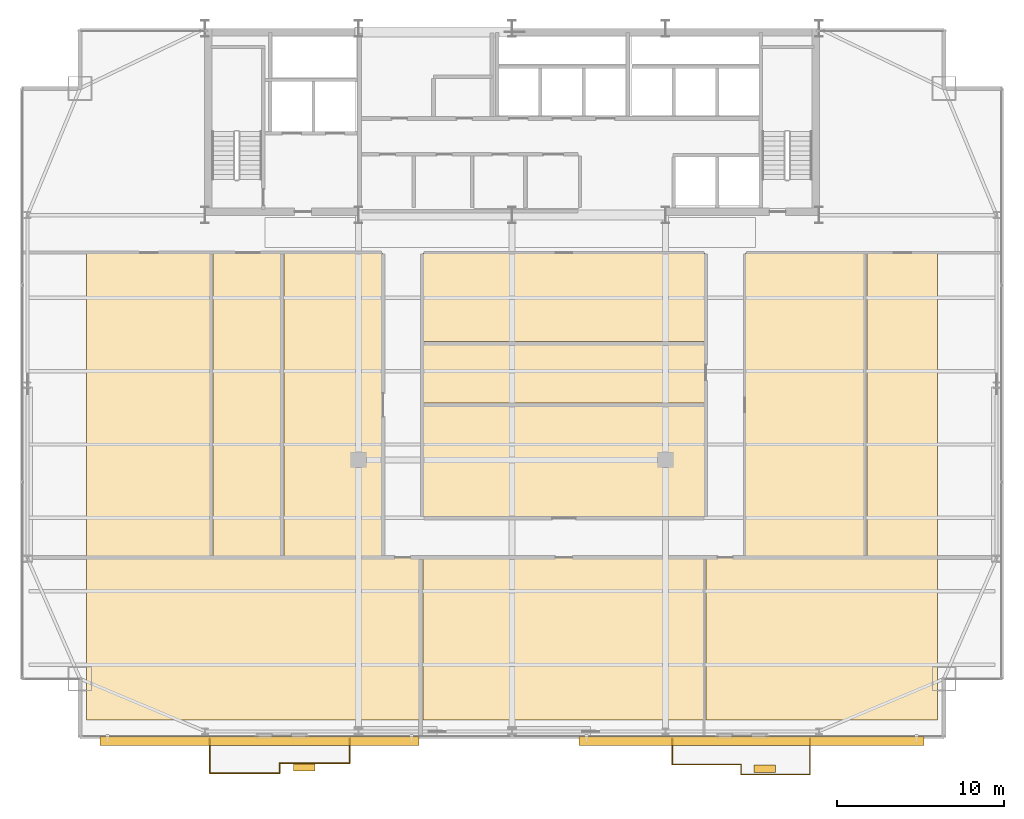
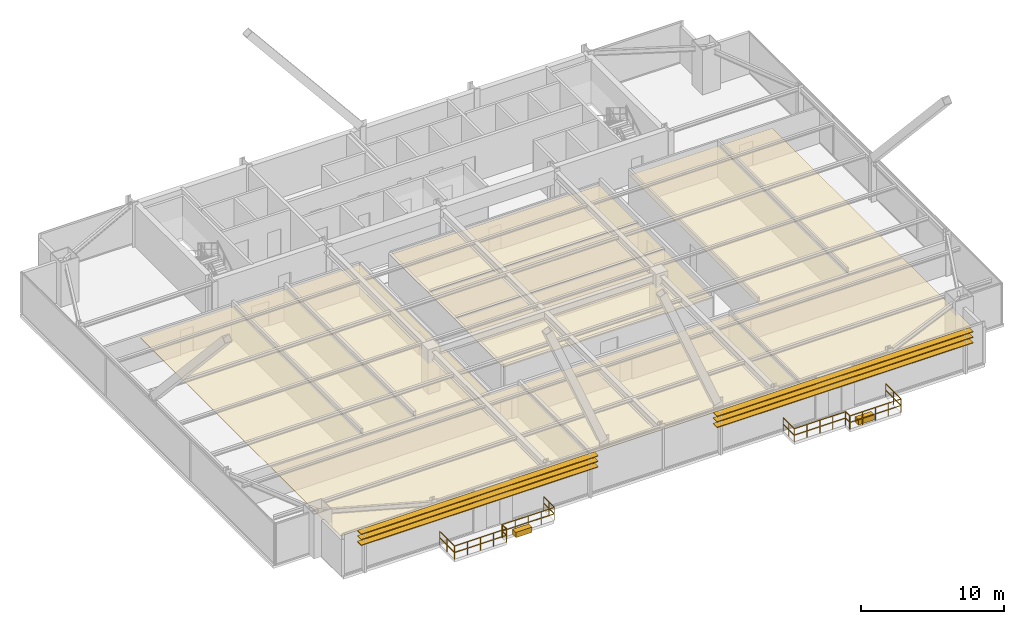
# One storey, part 36 of 37: 13 coverings, 10 railings, 6 shading devices.
"""IFC4 building model written with IfcOpenShell, lengths in metres."""

from ifc_helpers import new_model, si_unit, direction, frame, origin, origin_2d, place, context, subcontext, project, spatial, polyline, rectangle, outline, extrude, source, transform, mapped, material, layer, layer_set, type_object, type_shapes, element, save


model = new_model("IFC4")

# Units and contexts
model_context = context("Model", 3, precision=1e-05, world=origin(), true_north=direction((0.0, 1.0)))
body_context = subcontext(model_context, "Body", "Model", "MODEL_VIEW")
ifc_project = project(units=[si_unit("LENGTHUNIT", "METRE"), si_unit("AREAUNIT", "SQUARE_METRE"), si_unit("VOLUMEUNIT", "CUBIC_METRE"), si_unit("PLANEANGLEUNIT", "RADIAN"), si_unit("MASSUNIT", "GRAM", prefix="KILO")], contexts=[model_context])

# Site, building, storey
site_placement = place(None, origin())
site = spatial("IfcSite", under=ifc_project, at=site_placement, CompositionType="ELEMENT")
building_placement = place(site_placement, origin())
building = spatial("IfcBuilding", under=site, at=building_placement, Name="Varnel Quay Broadcast Tower", CompositionType="ELEMENT")
storey_placement = place(building_placement, frame((0.0, 0.0, 125.800048828125)))
storey = spatial("IfcBuildingStorey", under=building, at=storey_placement, Name="L30", CompositionType="ELEMENT", Elevation=125.800048828125)

# Coverings
ifc_material_1 = material(Name="Micro-Perforated Acoustic Ceiling Tile")
ifc_layer_1 = layer(ifc_material_1, 0.0400390625, Name="Micro-Perforated Acoustic Ceiling Tile")
ifc_layer_set_1 = layer_set([ifc_layer_1], Name="Micro-Perforated Acoustic Ceiling Tile")
covering_type_1 = type_object("IfcCoveringType", Name="Cov_AcousticCeiling", PredefinedType="CEILING", material=ifc_layer_set_1)
covering_1_placement = place(storey_placement, frame((0.0, 0.0, 2.579833984375)))
element("IfcCovering", 1, at=covering_1_placement, inside=storey, type_object=covering_type_1, Name="L30 Audio Control Room 1 Acoustic Ceiling", PredefinedType="CEILING", context=body_context, shape_type="SweptSolid", body=[
    extrude(outline(polyline([(8.485107421875, 5.324951171875), (28.5849609375, 5.324951171875), (28.5849609375, 15.034912109375), (8.485107421875, 15.034912109375), (8.485107421875, 5.324951171875)])), origin(), (0.0, 0.0, 1.0), 0.0400390625),
])
covering_2_placement = place(storey_placement, frame((0.0, 0.0, 2.579833984375)))
element("IfcCovering", 2, at=covering_2_placement, inside=storey, type_object=covering_type_1, Name="L30 Talent Lounge 2 Acoustic Ceiling", PredefinedType="CEILING", context=body_context, shape_type="SweptSolid", body=[
    extrude(outline(polyline([(28.655029296875, 5.324951171875), (45.574951171875, 5.324951171875), (45.574951171875, 15.034912109375), (28.655029296875, 15.034912109375), (28.655029296875, 5.324951171875)])), origin(), (0.0, 0.0, 1.0), 0.0400390625),
])
covering_3_placement = place(storey_placement, frame((0.0, 0.0, 2.579833984375)))
element("IfcCovering", 3, at=covering_3_placement, inside=storey, type_object=covering_type_1, Name="L30 Pantry Niche 3 Acoustic Ceiling", PredefinedType="CEILING", context=body_context, shape_type="SweptSolid", body=[
    extrude(outline(polyline([(45.64501953125, 5.324951171875), (59.514892578125, 5.324951171875), (59.514892578125, 15.034912109375), (45.64501953125, 15.034912109375), (45.64501953125, 5.324951171875)])), origin(), (0.0, 0.0, 1.0), 0.0400390625),
])
covering_4_placement = place(storey_placement, frame((0.0, 0.0, 2.579833984375)))
element("IfcCovering", 4, at=covering_4_placement, inside=storey, type_object=covering_type_1, Name="L30 Broadcast Seminar Room 4 Acoustic Ceiling", PredefinedType="CEILING", context=body_context, shape_type="SweptSolid", body=[
    extrude(outline(polyline([(8.485107421875, 15.10498046875), (16.0048828125, 15.10498046875), (16.0048828125, 33.31494140625), (8.485107421875, 33.31494140625), (8.485107421875, 15.10498046875)])), origin(), (0.0, 0.0, 1.0), 0.0400390625),
])
covering_5_placement = place(storey_placement, frame((0.0, 0.0, 2.579833984375)))
element("IfcCovering", 5, at=covering_5_placement, inside=storey, type_object=covering_type_1, Name="L30 Podcast Recording Studio 5 Acoustic Ceiling", PredefinedType="CEILING", context=body_context, shape_type="SweptSolid", body=[
    extrude(outline(polyline([(16.074951171875, 15.10498046875), (20.264892578125, 15.10498046875), (20.264892578125, 33.31494140625), (16.074951171875, 33.31494140625), (16.074951171875, 15.10498046875)])), origin(), (0.0, 0.0, 1.0), 0.0400390625),
])
covering_6_placement = place(storey_placement, frame((0.0, 0.0, 2.579833984375)))
element("IfcCovering", 6, at=covering_6_placement, inside=storey, type_object=covering_type_1, Name="L30 Foley Sound Studio 6 Acoustic Ceiling", PredefinedType="CEILING", context=body_context, shape_type="SweptSolid", body=[
    extrude(outline(polyline([(20.3349609375, 15.10498046875), (26.235107421875, 15.10498046875), (26.235107421875, 33.31494140625), (20.3349609375, 33.31494140625), (20.3349609375, 15.10498046875)])), origin(), (0.0, 0.0, 1.0), 0.0400390625),
])
covering_7_placement = place(storey_placement, frame((0.0, 0.0, 2.579833984375)))
element("IfcCovering", 7, at=covering_7_placement, inside=storey, type_object=covering_type_1, Name="L30 Voice Booth 7 Acoustic Ceiling", PredefinedType="CEILING", context=body_context, shape_type="SweptSolid", body=[
    extrude(outline(polyline([(28.655029296875, 17.455078125), (45.574951171875, 17.455078125), (45.574951171875, 24.27490234375), (28.655029296875, 24.27490234375), (28.655029296875, 17.455078125)])), origin(), (0.0, 0.0, 1.0), 0.0400390625),
])
covering_8_placement = place(storey_placement, frame((0.0, 0.0, 2.579833984375)))
element("IfcCovering", 8, at=covering_8_placement, inside=storey, type_object=covering_type_1, Name="L30 Audio Control Room 8 Acoustic Ceiling", PredefinedType="CEILING", context=body_context, shape_type="SweptSolid", body=[
    extrude(outline(polyline([(28.655029296875, 24.344970703125), (45.574951171875, 24.344970703125), (45.574951171875, 27.965087890625), (28.655029296875, 27.965087890625), (28.655029296875, 24.344970703125)])), origin(), (0.0, 0.0, 1.0), 0.0400390625),
])
covering_9_placement = place(storey_placement, frame((0.0, 0.0, 2.579833984375)))
element("IfcCovering", 9, at=covering_9_placement, inside=storey, type_object=covering_type_1, Name="L30 Talent Lounge 9 Acoustic Ceiling", PredefinedType="CEILING", context=body_context, shape_type="SweptSolid", body=[
    extrude(outline(polyline([(28.655029296875, 28.034912109375), (45.574951171875, 28.034912109375), (45.574951171875, 33.31494140625), (28.655029296875, 33.31494140625), (28.655029296875, 28.034912109375)])), origin(), (0.0, 0.0, 1.0), 0.0400390625),
])
covering_10_placement = place(storey_placement, frame((0.0, 0.0, 2.579833984375)))
element("IfcCovering", 10, at=covering_10_placement, inside=storey, type_object=covering_type_1, Name="L30 Pantry Niche 10 Acoustic Ceiling", PredefinedType="CEILING", context=body_context, shape_type="SweptSolid", body=[
    extrude(outline(polyline([(47.9951171875, 15.10498046875), (55.215087890625, 15.10498046875), (55.215087890625, 33.31494140625), (47.9951171875, 33.31494140625), (47.9951171875, 15.10498046875)])), origin(), (0.0, 0.0, 1.0), 0.0400390625),
])
covering_11_placement = place(storey_placement, frame((0.0, 0.0, 2.579833984375)))
element("IfcCovering", 11, at=covering_11_placement, inside=storey, type_object=covering_type_1, Name="L30 Broadcast Seminar Room 11 Acoustic Ceiling", PredefinedType="CEILING", context=body_context, shape_type="SweptSolid", body=[
    extrude(outline(polyline([(55.284912109375, 15.10498046875), (59.514892578125, 15.10498046875), (59.514892578125, 33.31494140625), (55.284912109375, 33.31494140625), (55.284912109375, 15.10498046875)])), origin(), (0.0, 0.0, 1.0), 0.0400390625),
])

# Railings
ifc_material_2 = material(Name="Anodised Bronze Aluminium 6063-T6", Category="aluminium")
railing_type = type_object("IfcRailingType", Name="Rail_Balustrade1150", PredefinedType="BALUSTRADE", material=ifc_material_2)
railing_1_placement = place(storey_placement, frame((15.8701171875, 2.14306640625, 0.0)))
element("IfcRailing", 12, at=railing_1_placement, inside=storey, type_object=railing_type, Name="L30 Terrace 1 Guard 1", PredefinedType="BALUSTRADE", context=body_context, shape_type="SweptSolid", body=[
    extrude(rectangle(XDim=0.048095703125, YDim=0.048095703125, at=origin_2d()), frame((0.0, 0.0, 1.1259765625), z_axis=(1.0, 0.0, 0.0), x_axis=(0.0, 1.0, 0.0)), (0.0, 0.0, 1.0), 4.199951171875),
    extrude(rectangle(XDim=0.048095703125, YDim=0.048095703125, at=origin_2d()), frame((0.0, 0.0, 0.574951171875), z_axis=(1.0, 0.0, 0.0), x_axis=(0.0, 1.0, 0.0)), (0.0, 0.0, 1.0), 4.199951171875),
    extrude(rectangle(XDim=0.0419921875, YDim=0.0419921875, at=origin_2d()), origin(), (0.0, 0.0, 1.0), 1.101806640625),
    extrude(rectangle(XDim=0.0419921875, YDim=0.0419921875, at=origin_2d()), frame((1.050048828125, 0.0, 0.0)), (0.0, 0.0, 1.0), 1.101806640625),
    extrude(rectangle(XDim=0.0419921875, YDim=0.0419921875, at=origin_2d()), frame((2.10009765625, 0.0, 0.0)), (0.0, 0.0, 1.0), 1.101806640625),
    extrude(rectangle(XDim=0.0419921875, YDim=0.0419921875, at=origin_2d()), frame((3.14990234375, 0.0, 0.0)), (0.0, 0.0, 1.0), 1.101806640625),
    extrude(rectangle(XDim=0.0419921875, YDim=0.0419921875, at=origin_2d()), frame((4.199951171875, 0.0, 0.0)), (0.0, 0.0, 1.0), 1.101806640625),
])
railing_2_placement = place(storey_placement, frame((20.070068359375, 2.14306640625, 0.0)))
element("IfcRailing", 13, at=railing_2_placement, inside=storey, type_object=railing_type, Name="L30 Terrace 1 Guard 2", PredefinedType="BALUSTRADE", context=body_context, shape_type="SweptSolid", body=[
    extrude(rectangle(XDim=0.048095703125, YDim=0.048095703125, at=origin_2d()), frame((0.0, 0.0, 1.1259765625), z_axis=(0.0, 1.0, 0.0), x_axis=(-1.0, 0.0, 0.0)), (0.0, 0.0, 1.0), 0.599853515625),
    extrude(rectangle(XDim=0.048095703125, YDim=0.048095703125, at=origin_2d()), frame((0.0, 0.0, 0.574951171875), z_axis=(0.0, 1.0, 0.0), x_axis=(-1.0, 0.0, 0.0)), (0.0, 0.0, 1.0), 0.599853515625),
    extrude(rectangle(XDim=0.0419921875, YDim=0.0419921875, at=origin_2d()), origin(), (0.0, 0.0, 1.0), 1.101806640625),
    extrude(rectangle(XDim=0.0419921875, YDim=0.0419921875, at=origin_2d()), frame((0.0, 0.599853515625, 0.0)), (0.0, 0.0, 1.0), 1.101806640625),
])
railing_3_placement = place(storey_placement, frame((20.070068359375, 2.742919921875, 0.0)))
element("IfcRailing", 14, at=railing_3_placement, inside=storey, type_object=railing_type, Name="L30 Terrace 1 Guard 3", PredefinedType="BALUSTRADE", context=body_context, shape_type="SweptSolid", body=[
    extrude(rectangle(XDim=0.048095703125, YDim=0.048095703125, at=origin_2d()), frame((0.0, 0.0, 1.1259765625), z_axis=(1.0, 0.0, 0.0), x_axis=(0.0, 1.0, 0.0)), (0.0, 0.0, 1.0), 4.199951171875),
    extrude(rectangle(XDim=0.048095703125, YDim=0.048095703125, at=origin_2d()), frame((0.0, 0.0, 0.574951171875), z_axis=(1.0, 0.0, 0.0), x_axis=(0.0, 1.0, 0.0)), (0.0, 0.0, 1.0), 4.199951171875),
    extrude(rectangle(XDim=0.0419921875, YDim=0.0419921875, at=origin_2d()), origin(), (0.0, 0.0, 1.0), 1.101806640625),
    extrude(rectangle(XDim=0.0419921875, YDim=0.0419921875, at=origin_2d()), frame((1.050048828125, 0.0, 0.0)), (0.0, 0.0, 1.0), 1.101806640625),
    extrude(rectangle(XDim=0.0419921875, YDim=0.0419921875, at=origin_2d()), frame((2.10009765625, 0.0, 0.0)), (0.0, 0.0, 1.0), 1.101806640625),
    extrude(rectangle(XDim=0.0419921875, YDim=0.0419921875, at=origin_2d()), frame((3.14990234375, 0.0, 0.0)), (0.0, 0.0, 1.0), 1.101806640625),
    extrude(rectangle(XDim=0.0419921875, YDim=0.0419921875, at=origin_2d()), frame((4.199951171875, 0.0, 0.0)), (0.0, 0.0, 1.0), 1.101806640625),
])
railing_4_placement = place(storey_placement, frame((24.27001953125, 2.742919921875, 0.0)))
element("IfcRailing", 15, at=railing_4_placement, inside=storey, type_object=railing_type, Name="L30 Terrace 1 Guard 4", PredefinedType="BALUSTRADE", context=body_context, shape_type="SweptSolid", body=[
    extrude(rectangle(XDim=0.048095703125, YDim=0.048095703125, at=origin_2d()), frame((0.0, 0.0, 1.1259765625), z_axis=(0.0, 1.0, 0.0), x_axis=(-1.0, 0.0, 0.0)), (0.0, 0.0, 1.0), 1.45703125),
    extrude(rectangle(XDim=0.048095703125, YDim=0.048095703125, at=origin_2d()), frame((0.0, 0.0, 0.574951171875), z_axis=(0.0, 1.0, 0.0), x_axis=(-1.0, 0.0, 0.0)), (0.0, 0.0, 1.0), 1.45703125),
    extrude(rectangle(XDim=0.0419921875, YDim=0.0419921875, at=origin_2d()), origin(), (0.0, 0.0, 1.0), 1.101806640625),
    extrude(rectangle(XDim=0.0419921875, YDim=0.0419921875, at=origin_2d()), frame((0.0, 0.728515625, 0.0)), (0.0, 0.0, 1.0), 1.101806640625),
    extrude(rectangle(XDim=0.0419921875, YDim=0.0419921875, at=origin_2d()), frame((0.0, 1.45703125, 0.0)), (0.0, 0.0, 1.0), 1.101806640625),
])
railing_5_placement = place(storey_placement, frame((15.8701171875, 4.199951171875, 0.0)))
element("IfcRailing", 16, at=railing_5_placement, inside=storey, type_object=railing_type, Name="L30 Terrace 1 Guard 6", PredefinedType="BALUSTRADE", context=body_context, shape_type="SweptSolid", body=[
    extrude(rectangle(XDim=0.048095703125, YDim=0.048095703125, at=origin_2d()), frame((0.0, 0.0, 1.1259765625), z_axis=(0.0, -1.0, 0.0), x_axis=(1.0, 0.0, 0.0)), (0.0, 0.0, 1.0), 2.056884765625),
    extrude(rectangle(XDim=0.048095703125, YDim=0.048095703125, at=origin_2d()), frame((0.0, 0.0, 0.574951171875), z_axis=(0.0, -1.0, 0.0), x_axis=(1.0, 0.0, 0.0)), (0.0, 0.0, 1.0), 2.056884765625),
    extrude(rectangle(XDim=0.0419921875, YDim=0.0419921875, at=origin_2d()), origin(), (0.0, 0.0, 1.0), 1.101806640625),
    extrude(rectangle(XDim=0.0419921875, YDim=0.0419921875, at=origin_2d()), frame((0.0, -1.0283203125, 0.0)), (0.0, 0.0, 1.0), 1.101806640625),
    extrude(rectangle(XDim=0.0419921875, YDim=0.0419921875, at=origin_2d()), frame((0.0, -2.056884765625, 0.0)), (0.0, 0.0, 1.0), 1.101806640625),
])
railing_6_placement = place(storey_placement, frame((43.60009765625, 2.656982421875, 0.0)))
element("IfcRailing", 17, at=railing_6_placement, inside=storey, type_object=railing_type, Name="L30 Terrace 2 Guard 1", PredefinedType="BALUSTRADE", context=body_context, shape_type="SweptSolid", body=[
    extrude(rectangle(XDim=0.048095703125, YDim=0.048095703125, at=origin_2d()), frame((0.0, 0.0, 1.1259765625), z_axis=(1.0, 0.0, 0.0), x_axis=(0.0, 1.0, 0.0)), (0.0, 0.0, 1.0), 4.135009765625),
    extrude(rectangle(XDim=0.048095703125, YDim=0.048095703125, at=origin_2d()), frame((0.0, 0.0, 0.574951171875), z_axis=(1.0, 0.0, 0.0), x_axis=(0.0, 1.0, 0.0)), (0.0, 0.0, 1.0), 4.135009765625),
    extrude(rectangle(XDim=0.0419921875, YDim=0.0419921875, at=origin_2d()), origin(), (0.0, 0.0, 1.0), 1.101806640625),
    extrude(rectangle(XDim=0.0419921875, YDim=0.0419921875, at=origin_2d()), frame((1.03369140625, 0.0, 0.0)), (0.0, 0.0, 1.0), 1.101806640625),
    extrude(rectangle(XDim=0.0419921875, YDim=0.0419921875, at=origin_2d()), frame((2.0673828125, 0.0, 0.0)), (0.0, 0.0, 1.0), 1.101806640625),
    extrude(rectangle(XDim=0.0419921875, YDim=0.0419921875, at=origin_2d()), frame((3.101318359375, 0.0, 0.0)), (0.0, 0.0, 1.0), 1.101806640625),
    extrude(rectangle(XDim=0.0419921875, YDim=0.0419921875, at=origin_2d()), frame((4.135009765625, 0.0, 0.0)), (0.0, 0.0, 1.0), 1.101806640625),
])
railing_7_placement = place(storey_placement, frame((47.735107421875, 2.656982421875, 0.0)))
element("IfcRailing", 18, at=railing_7_placement, inside=storey, type_object=railing_type, Name="L30 Terrace 2 Guard 2", PredefinedType="BALUSTRADE", context=body_context, shape_type="SweptSolid", body=[
    extrude(rectangle(XDim=0.048095703125, YDim=0.048095703125, at=origin_2d()), frame((0.0, 0.0, 1.1259765625), z_axis=(0.0, -1.0, 0.0), x_axis=(1.0, 0.0, 0.0)), (0.0, 0.0, 1.0), 0.60009765625),
    extrude(rectangle(XDim=0.048095703125, YDim=0.048095703125, at=origin_2d()), frame((0.0, 0.0, 0.574951171875), z_axis=(0.0, -1.0, 0.0), x_axis=(1.0, 0.0, 0.0)), (0.0, 0.0, 1.0), 0.60009765625),
    extrude(rectangle(XDim=0.0419921875, YDim=0.0419921875, at=origin_2d()), origin(), (0.0, 0.0, 1.0), 1.101806640625),
    extrude(rectangle(XDim=0.0419921875, YDim=0.0419921875, at=origin_2d()), frame((0.0, -0.60009765625, 0.0)), (0.0, 0.0, 1.0), 1.101806640625),
])
railing_8_placement = place(storey_placement, frame((47.735107421875, 2.056884765625, 0.0)))
element("IfcRailing", 19, at=railing_8_placement, inside=storey, type_object=railing_type, Name="L30 Terrace 2 Guard 3", PredefinedType="BALUSTRADE", context=body_context, shape_type="SweptSolid", body=[
    extrude(rectangle(XDim=0.048095703125, YDim=0.048095703125, at=origin_2d()), frame((0.0, 0.0, 1.1259765625), z_axis=(1.0, 0.0, 0.0), x_axis=(0.0, 1.0, 0.0)), (0.0, 0.0, 1.0), 4.135009765625),
    extrude(rectangle(XDim=0.048095703125, YDim=0.048095703125, at=origin_2d()), frame((0.0, 0.0, 0.574951171875), z_axis=(1.0, 0.0, 0.0), x_axis=(0.0, 1.0, 0.0)), (0.0, 0.0, 1.0), 4.135009765625),
    extrude(rectangle(XDim=0.0419921875, YDim=0.0419921875, at=origin_2d()), origin(), (0.0, 0.0, 1.0), 1.101806640625),
    extrude(rectangle(XDim=0.0419921875, YDim=0.0419921875, at=origin_2d()), frame((1.03369140625, 0.0, 0.0)), (0.0, 0.0, 1.0), 1.101806640625),
    extrude(rectangle(XDim=0.0419921875, YDim=0.0419921875, at=origin_2d()), frame((2.0673828125, 0.0, 0.0)), (0.0, 0.0, 1.0), 1.101806640625),
    extrude(rectangle(XDim=0.0419921875, YDim=0.0419921875, at=origin_2d()), frame((3.101318359375, 0.0, 0.0)), (0.0, 0.0, 1.0), 1.101806640625),
    extrude(rectangle(XDim=0.0419921875, YDim=0.0419921875, at=origin_2d()), frame((4.135009765625, 0.0, 0.0)), (0.0, 0.0, 1.0), 1.101806640625),
])
railing_9_placement = place(storey_placement, frame((51.8701171875, 2.056884765625, 0.0)))
element("IfcRailing", 20, at=railing_9_placement, inside=storey, type_object=railing_type, Name="L30 Terrace 2 Guard 4", PredefinedType="BALUSTRADE", context=body_context, shape_type="SweptSolid", body=[
    extrude(rectangle(XDim=0.048095703125, YDim=0.048095703125, at=origin_2d()), frame((0.0, 0.0, 1.1259765625), z_axis=(0.0, 1.0, 0.0), x_axis=(-1.0, 0.0, 0.0)), (0.0, 0.0, 1.0), 2.14306640625),
    extrude(rectangle(XDim=0.048095703125, YDim=0.048095703125, at=origin_2d()), frame((0.0, 0.0, 0.574951171875), z_axis=(0.0, 1.0, 0.0), x_axis=(-1.0, 0.0, 0.0)), (0.0, 0.0, 1.0), 2.14306640625),
    extrude(rectangle(XDim=0.0419921875, YDim=0.0419921875, at=origin_2d()), origin(), (0.0, 0.0, 1.0), 1.101806640625),
    extrude(rectangle(XDim=0.0419921875, YDim=0.0419921875, at=origin_2d()), frame((0.0, 1.071533203125, 0.0)), (0.0, 0.0, 1.0), 1.101806640625),
    extrude(rectangle(XDim=0.0419921875, YDim=0.0419921875, at=origin_2d()), frame((0.0, 2.14306640625, 0.0)), (0.0, 0.0, 1.0), 1.101806640625),
])
railing_10_placement = place(storey_placement, frame((43.60009765625, 4.199951171875, 0.0)))
element("IfcRailing", 21, at=railing_10_placement, inside=storey, type_object=railing_type, Name="L30 Terrace 2 Guard 6", PredefinedType="BALUSTRADE", context=body_context, shape_type="SweptSolid", body=[
    extrude(rectangle(XDim=0.048095703125, YDim=0.048095703125, at=origin_2d()), frame((0.0, 0.0, 1.1259765625), z_axis=(0.0, -1.0, 0.0), x_axis=(1.0, 0.0, 0.0)), (0.0, 0.0, 1.0), 1.54296875),
    extrude(rectangle(XDim=0.048095703125, YDim=0.048095703125, at=origin_2d()), frame((0.0, 0.0, 0.574951171875), z_axis=(0.0, -1.0, 0.0), x_axis=(1.0, 0.0, 0.0)), (0.0, 0.0, 1.0), 1.54296875),
    extrude(rectangle(XDim=0.0419921875, YDim=0.0419921875, at=origin_2d()), origin(), (0.0, 0.0, 1.0), 1.101806640625),
    extrude(rectangle(XDim=0.0419921875, YDim=0.0419921875, at=origin_2d()), frame((0.0, -0.771484375, 0.0)), (0.0, 0.0, 1.0), 1.101806640625),
    extrude(rectangle(XDim=0.0419921875, YDim=0.0419921875, at=origin_2d()), frame((0.0, -1.54296875, 0.0)), (0.0, 0.0, 1.0), 1.101806640625),
])

# Coverings
ifc_material_3 = material(Name="Bronze-Terracotta Extruded Ceramic Blade", Category="masonry")
ifc_layer_2 = layer(ifc_material_3, 0.449951171875, Name="Bronze-Terracotta Extruded Ceramic Blade")
ifc_layer_set_2 = layer_set([ifc_layer_2], Name="Bronze-Terracotta Extruded Ceramic Blade")
covering_type_2 = type_object("IfcCoveringType", Name="Cov_BronzePlanter", PredefinedType="CLADDING", material=ifc_layer_set_2)
shared_shape_1 = source(origin(), body_context, "Body", "SweptSolid", [
    extrude(rectangle(XDim=1.300048828125, YDim=0.449951171875, at=origin_2d()), origin(), (0.0, 0.0, 1.0), 0.449951171875),
])
type_shapes(covering_type_2, [shared_shape_1])
for number, where, z_axis, x_axis, name in (
    (22, (21.550048828125, 2.492919921875, 0.0), (0.0, 0.0, 1.0), (1.0, 0.0, 0.0), "L30 Terrace 1 Bronze Planter"),
    (23, (49.14990234375, 2.406982421875, 0.0), (0.0, 0.0, 1.0), (1.0, 0.0, 0.0), "L30 Terrace 2 Bronze Planter"),
):
    element("IfcCovering", number, at=place(storey_placement, frame(where, z_axis=z_axis, x_axis=x_axis)), inside=storey, type_object=covering_type_2, Name=name, PredefinedType="CLADDING", context=body_context, shape_type="MappedRepresentation", body=[
        mapped(shared_shape_1, transform((0.0, 0.0, 0.0), x_axis=(1.0, 0.0, 0.0), y_axis=(0.0, 1.0, 0.0), z_axis=(0.0, 0.0, 1.0), scale=1.0)),
    ])

# Shading devices
ifc_layer_3 = layer(ifc_material_3, 0.06494140625, Name="Bronze-Terracotta Extruded Ceramic Blade")
ifc_layer_set_3 = layer_set([ifc_layer_3], Name="Bronze-Terracotta Extruded Ceramic Blade")
shading_device_type = type_object("IfcShadingDeviceType", Name="Shade_LouvreBlade550", PredefinedType="JALOUSIE", material=ifc_layer_set_3)
shared_shape_2 = source(origin(), body_context, "Body", "SweptSolid", [
    extrude(rectangle(XDim=20.678955078125, YDim=0.550048828125, at=origin_2d()), origin(), (0.0, 0.0, 1.0), 0.06494140625),
])
for number, where, z_axis, x_axis, name in (
    (24, (48.361083984375, 4.06005859375, 2.447509765625), (0.0, 0.0, 1.0), (1.0, 0.0, 0.0), "L30 Lobe 2 Horizontal Louvre Blade 1"),
    (25, (48.361083984375, 4.06005859375, 2.927490234375), (0.0, 0.0, 1.0), (1.0, 0.0, 0.0), "L30 Lobe 2 Horizontal Louvre Blade 2"),
    (26, (48.361083984375, 4.06005859375, 3.387451171875), (0.0, 0.0, 1.0), (1.0, 0.0, 0.0), "L30 Lobe 2 Horizontal Louvre Blade 3"),
):
    element("IfcShadingDevice", number, at=place(storey_placement, frame(where, z_axis=z_axis, x_axis=x_axis)), inside=storey, type_object=shading_device_type, Name=name, PredefinedType="JALOUSIE", context=body_context, shape_type="MappedRepresentation", body=[
        mapped(shared_shape_2, transform((0.0, 0.0, 0.0), x_axis=(1.0, 0.0, 0.0), y_axis=(0.0, 1.0, 0.0), z_axis=(0.0, 0.0, 1.0), scale=1.0)),
    ])
shared_shape_3 = source(origin(), body_context, "Body", "SweptSolid", [
    extrude(rectangle(XDim=19.12109375, YDim=0.550048828125, at=origin_2d()), origin(), (0.0, 0.0, 1.0), 0.06494140625),
])
type_shapes(shading_device_type, [shared_shape_2, shared_shape_3])
for number, where, z_axis, x_axis, name in (
    (27, (18.861083984375, 4.06005859375, 2.447509765625), (0.0, 0.0, 1.0), (1.0, 0.0, 0.0), "L30 Lobe 1 Horizontal Louvre Blade 1"),
    (28, (18.861083984375, 4.06005859375, 2.927490234375), (0.0, 0.0, 1.0), (1.0, 0.0, 0.0), "L30 Lobe 1 Horizontal Louvre Blade 2"),
    (29, (18.861083984375, 4.06005859375, 3.387451171875), (0.0, 0.0, 1.0), (1.0, 0.0, 0.0), "L30 Lobe 1 Horizontal Louvre Blade 3"),
):
    element("IfcShadingDevice", number, at=place(storey_placement, frame(where, z_axis=z_axis, x_axis=x_axis)), inside=storey, type_object=shading_device_type, Name=name, PredefinedType="JALOUSIE", context=body_context, shape_type="MappedRepresentation", body=[
        mapped(shared_shape_3, transform((0.0, 0.0, 0.0), x_axis=(1.0, 0.0, 0.0), y_axis=(0.0, 1.0, 0.0), z_axis=(0.0, 0.0, 1.0), scale=1.0)),
    ])

save(model, "model.ifc")
